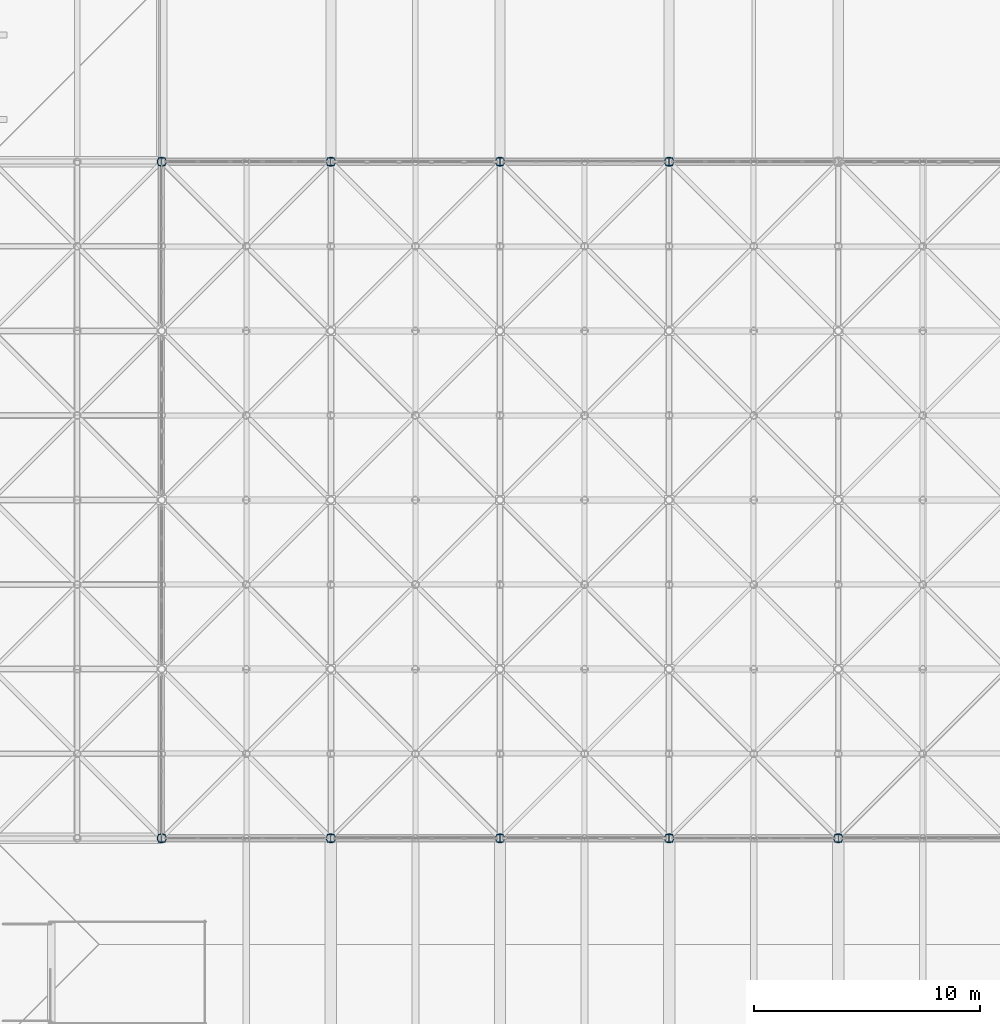
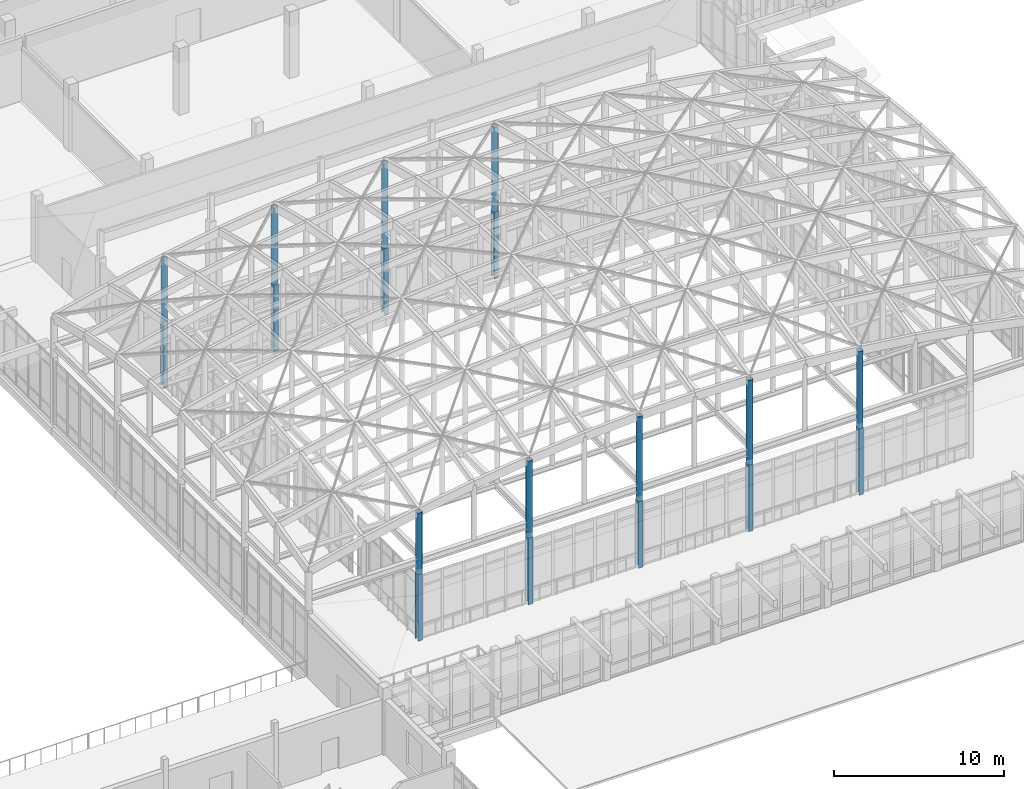
# One storey, part 5 of 131: 18 columns.
"""IFC4 building model written with IfcOpenShell, lengths in metres."""

from ifc_helpers import new_model, si_unit, direction, frame, origin, origin_2d, place, context, subcontext, project, spatial, hollow_circle, i_section, extrude, material, material_profile, profile_set, type_object, element, save


model = new_model("IFC4")

# Units and contexts
model_context = context("Model", 3, precision=1e-05, world=origin(), true_north=direction((0.0, 1.0)))
body_context = subcontext(model_context, "Body", "Model", "MODEL_VIEW")
ifc_project = project(units=[si_unit("LENGTHUNIT", "METRE"), si_unit("AREAUNIT", "SQUARE_METRE"), si_unit("VOLUMEUNIT", "CUBIC_METRE"), si_unit("PLANEANGLEUNIT", "RADIAN"), si_unit("MASSUNIT", "GRAM", prefix="KILO")], contexts=[model_context])

# Site, building, storey
site_placement = place(None, origin())
site = spatial("IfcSite", under=ifc_project, at=site_placement, CompositionType="ELEMENT")
building_placement = place(site_placement, origin())
building = spatial("IfcBuilding", under=site, at=building_placement, Name="Dalvernix Boulevard General Hospital", CompositionType="ELEMENT")
storey_placement = place(building_placement, frame((0.0, 0.0, 9.300048828125)))
storey = spatial("IfcBuildingStorey", under=building, at=storey_placement, Name="L02", CompositionType="ELEMENT", Elevation=9.300048828125)

# Columns
ifc_material = material(Name="Steel S355", Category="steel")
ifc_material_profile_1 = material_profile(ifc_material, i_section(OverallWidth=0.300048828125, OverallDepth=0.360107421875, WebThickness=0.012451171875, FlangeThickness=0.0224609375, FilletRadius=0.027099609375, at=origin_2d()), Name="HEB 360")
ifc_profile_set_1 = profile_set([ifc_material_profile_1], Name="Steel S355")
column_type_1 = type_object("IfcColumnType", Name="COL-C-17-E", PredefinedType="COLUMN", material=ifc_profile_set_1)
for number, where, z_axis, x_axis, name in (
    (1, (67.5, 31.5, 0.0), (0.0, 0.0, 1.0), (1.0, 0.0, 0.0), "L02 column 10E"),
    (2, (67.5, 61.5, 0.0), (0.0, 0.0, 1.0), (1.0, 0.0, 0.0), "L02 column 10J"),
    (3, (75.0, 31.5, 0.0), (0.0, 0.0, 1.0), (1.0, 0.0, 0.0), "L02 column 11E"),
    (4, (75.0, 61.5, 0.0), (0.0, 0.0, 1.0), (1.0, 0.0, 0.0), "L02 column 11J"),
    (5, (82.5, 31.5, 0.0), (0.0, 0.0, 1.0), (1.0, 0.0, 0.0), "L02 column 12E"),
    (6, (82.5, 61.5, 0.0), (0.0, 0.0, 1.0), (1.0, 0.0, 0.0), "L02 column 12J"),
    (7, (90.0, 31.5, 0.0), (0.0, 0.0, 1.0), (1.0, 0.0, 0.0), "L02 column 13E"),
    (8, (90.0, 61.5, 0.0), (0.0, 0.0, 1.0), (1.0, 0.0, 0.0), "L02 column 13J"),
    (9, (97.5, 31.5, 0.0), (0.0, 0.0, 1.0), (1.0, 0.0, 0.0), "L02 column 14E"),
):
    element("IfcColumn", number, at=place(storey_placement, frame(where, z_axis=z_axis, x_axis=x_axis)), inside=storey, type_object=column_type_1, Name=name, PredefinedType="COLUMN", context=body_context, shape_type="SweptSolid", body=[
        extrude(i_section(OverallWidth=0.300048828125, OverallDepth=0.360107421875, WebThickness=0.012451171875, FlangeThickness=0.0224609375, FilletRadius=0.027099609375, at=origin_2d()), origin(), (0.0, 0.0, 1.0), 4.800048828125),
    ])
ifc_material_profile_2 = material_profile(ifc_material, hollow_circle(Radius=0.203125, WallThickness=0.01611328125, at=origin_2d()), Name="CHS 406.4x16.0")
ifc_profile_set_2 = profile_set([ifc_material_profile_2], Name="Steel S355")
column_type_2 = type_object("IfcColumnType", Name="COL-C-19", PredefinedType="COLUMN", material=ifc_profile_set_2)
for number, where, z_axis, x_axis, name in (
    (10, (67.5, 31.5, 4.800048828125), (0.0, 0.0, 1.0), (1.0, 0.0, 0.0), "Gridshell grid column post 2-0"),
    (11, (67.5, 61.5, 4.800048828125), (0.0, 0.0, 1.0), (1.0, 0.0, 0.0), "Gridshell grid column post 2-8"),
):
    element("IfcColumn", number, at=place(storey_placement, frame(where, z_axis=z_axis, x_axis=x_axis)), inside=storey, type_object=column_type_2, Name=name, PredefinedType="COLUMN", context=body_context, shape_type="SweptSolid", body=[
        extrude(hollow_circle(Radius=0.203125, WallThickness=0.01611328125, at=origin_2d()), origin(), (0.0, 0.0, 1.0), 4.415283203125),
    ])
for number, where, z_axis, x_axis, name in (
    (12, (75.0, 31.5, 4.800048828125), (0.0, 0.0, 1.0), (1.0, 0.0, 0.0), "Gridshell grid column post 4-0"),
    (13, (75.0, 61.5, 4.800048828125), (0.0, 0.0, 1.0), (1.0, 0.0, 0.0), "Gridshell grid column post 4-8"),
):
    element("IfcColumn", number, at=place(storey_placement, frame(where, z_axis=z_axis, x_axis=x_axis)), inside=storey, type_object=column_type_2, Name=name, PredefinedType="COLUMN", context=body_context, shape_type="SweptSolid", body=[
        extrude(hollow_circle(Radius=0.203125, WallThickness=0.01611328125, at=origin_2d()), origin(), (0.0, 0.0, 1.0), 5.525390625),
    ])
for number, where, z_axis, x_axis, name in (
    (14, (82.5, 31.5, 4.800048828125), (0.0, 0.0, 1.0), (1.0, 0.0, 0.0), "Gridshell grid column post 6-0"),
    (15, (82.5, 61.5, 4.800048828125), (0.0, 0.0, 1.0), (1.0, 0.0, 0.0), "Gridshell grid column post 6-8"),
    (16, (90.0, 31.5, 4.800048828125), (0.0, 0.0, 1.0), (1.0, 0.0, 0.0), "Gridshell grid column post 8-0"),
    (17, (90.0, 61.5, 4.800048828125), (0.0, 0.0, 1.0), (1.0, 0.0, 0.0), "Gridshell grid column post 8-8"),
):
    element("IfcColumn", number, at=place(storey_placement, frame(where, z_axis=z_axis, x_axis=x_axis)), inside=storey, type_object=column_type_2, Name=name, PredefinedType="COLUMN", context=body_context, shape_type="SweptSolid", body=[
        extrude(hollow_circle(Radius=0.203125, WallThickness=0.01611328125, at=origin_2d()), origin(), (0.0, 0.0, 1.0), 6.08056640625),
    ])
column_placement = place(storey_placement, frame((97.5, 31.5, 4.800048828125), z_axis=(0.0, 0.0, 1.0), x_axis=(1.0, 0.0, 0.0)))
element("IfcColumn", 18, at=column_placement, inside=storey, type_object=column_type_2, Name="Gridshell grid column post 10-0", PredefinedType="COLUMN", context=body_context, shape_type="SweptSolid", body=[
    extrude(hollow_circle(Radius=0.203125, WallThickness=0.01611328125, at=origin_2d()), origin(), (0.0, 0.0, 1.0), 5.525390625),
])

save(model, "model.ifc")
